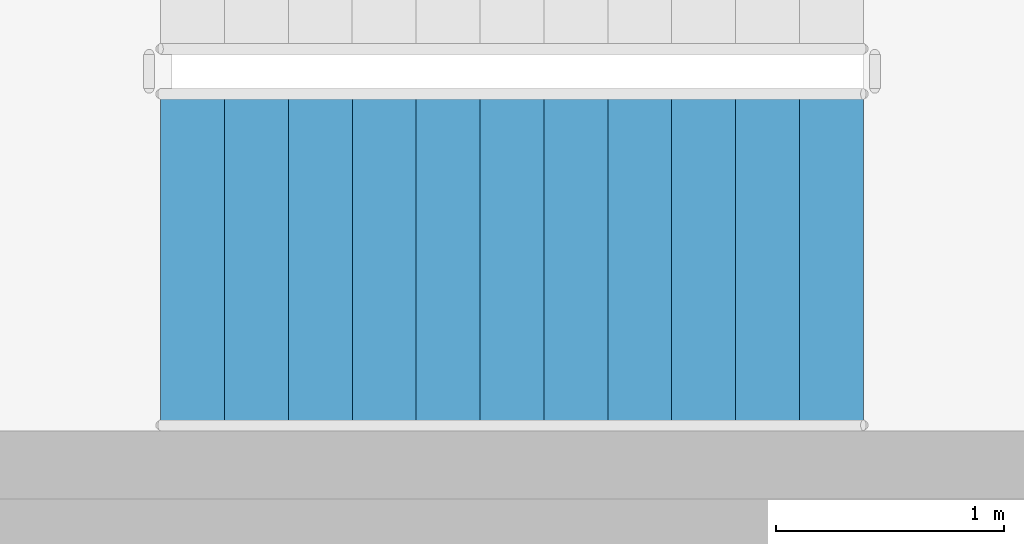
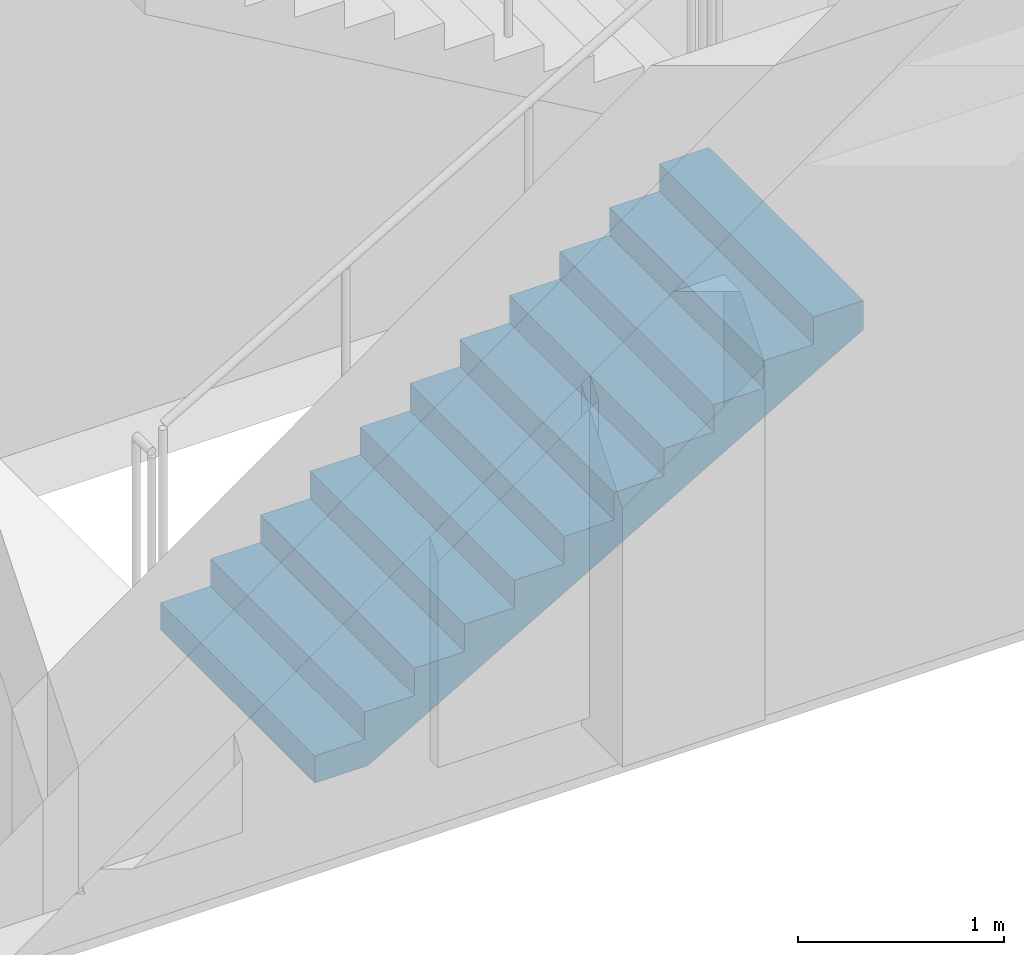
# One storey, part 48 of 56: 1 stair flight, 1 element without a shape of its own.
"""IFC4 building model written with IfcOpenShell, lengths in metres."""

from ifc_helpers import new_model, si_unit, direction, frame, origin, place, context, subcontext, project, spatial, triangles, material, type_object, element, aggregate, save


model = new_model("IFC4")

# Units and contexts
model_context = context("Model", 3, precision=1e-05, world=origin(), true_north=direction((0.0, 1.0)))
body_context = subcontext(model_context, "Body", "Model", "MODEL_VIEW")
ifc_project = project(units=[si_unit("LENGTHUNIT", "METRE"), si_unit("AREAUNIT", "SQUARE_METRE"), si_unit("VOLUMEUNIT", "CUBIC_METRE"), si_unit("PLANEANGLEUNIT", "RADIAN"), si_unit("MASSUNIT", "GRAM", prefix="KILO")], contexts=[model_context])

# Site, building, storey
site_placement = place(None, origin())
site = spatial("IfcSite", under=ifc_project, at=site_placement, CompositionType="ELEMENT")
building_placement = place(site_placement, origin())
building = spatial("IfcBuilding", under=site, at=building_placement, Name="Magnolia Steps Interchange", CompositionType="ELEMENT")
storey_placement = place(building_placement, frame((0.0, 0.0, 8.699951171875)))
storey = spatial("IfcBuildingStorey", under=building, at=storey_placement, Name="L02", CompositionType="ELEMENT", Elevation=8.699951171875)

# Stair, stair flight
ifc_material_1 = material(Name="Concrete C40", Category="concrete")
stair_type = type_object("IfcStairType", Name="Exit stair 1500", PredefinedType="HALF_TURN_STAIR", material=ifc_material_1)
stair_placement = place(storey_placement, origin())
stair = element("IfcStair", 1, at=stair_placement, inside=storey, type_object=stair_type, Name="L02 Stair 29", PredefinedType="HALF_TURN_STAIR")
ifc_material_2 = material(Name="Concrete C40", Category="concrete")
stair_flight_type = type_object("IfcStairFlightType", Name="Exit stair flight", PredefinedType="STRAIGHT", material=ifc_material_2)
stair_flight_placement = place(storey_placement, frame((112.85009765625, 97.60009765625, 0.0), z_axis=(0.0, 0.0, 1.0), x_axis=(1.0, 0.0, 0.0)))
stair_flight = element("IfcStairFlight", 2, at=stair_flight_placement, type_object=stair_flight_type, Name="Stair 29 flight 1", NumberOfRisers=12, NumberOfTreads=11, PredefinedType="STRAIGHT", RiserHeight=0.1625, TreadLength=0.28, context=body_context, shape_type="Tessellation", body=[
    triangles([(0.0, -0.75, 0.0), (0.298583984375, -0.75, 0.0), (3.080078125, -0.75, 1.6142578125), (3.080078125, -0.75, 1.78759765625), (2.800048828125, -0.75, 1.78759765625), (2.800048828125, -0.75, 1.625), (2.52001953125, -0.75, 1.625), (2.52001953125, -0.75, 1.46240234375), (2.239990234375, -0.75, 1.46240234375), (2.239990234375, -0.75, 1.300048828125), (1.9599609375, -0.75, 1.300048828125), (1.9599609375, -0.75, 1.137451171875), (1.679931640625, -0.75, 1.137451171875), (1.679931640625, -0.75, 0.97509765625), (1.39990234375, -0.75, 0.97509765625), (1.39990234375, -0.75, 0.8125), (1.1201171875, -0.75, 0.8125), (1.1201171875, -0.75, 0.64990234375), (0.840087890625, -0.75, 0.64990234375), (0.840087890625, -0.75, 0.487548828125), (0.56005859375, -0.75, 0.487548828125), (0.56005859375, -0.75, 0.324951171875), (0.280029296875, -0.75, 0.324951171875), (0.280029296875, -0.75, 0.16259765625), (0.0, -0.75, 0.16259765625), (0.0, 0.75, 0.0), (0.298583984375, 0.75, 0.0), (3.080078125, 0.75, 1.6142578125), (3.080078125, 0.75, 1.78759765625), (2.800048828125, 0.75, 1.78759765625), (2.800048828125, 0.75, 1.625), (2.52001953125, 0.75, 1.625), (2.52001953125, 0.75, 1.46240234375), (2.239990234375, 0.75, 1.46240234375), (2.239990234375, 0.75, 1.300048828125), (1.9599609375, 0.75, 1.300048828125), (1.9599609375, 0.75, 1.137451171875), (1.679931640625, 0.75, 1.137451171875), (1.679931640625, 0.75, 0.97509765625), (1.39990234375, 0.75, 0.97509765625), (1.39990234375, 0.75, 0.8125), (1.1201171875, 0.75, 0.8125), (1.1201171875, 0.75, 0.64990234375), (0.840087890625, 0.75, 0.64990234375), (0.840087890625, 0.75, 0.487548828125), (0.56005859375, 0.75, 0.487548828125), (0.56005859375, 0.75, 0.324951171875), (0.280029296875, 0.75, 0.324951171875), (0.280029296875, 0.75, 0.16259765625), (0.0, 0.75, 0.16259765625), (0.0, 0.0, 0.0), (0.0, 0.0, 0.0406494140625), (0.0, 0.0, 0.081298828125), (0.0, 0.0, 0.1219482421875), (0.0, 0.0, 0.16259765625), (0.0, -0.05, 0.0), (0.0, -0.05, 0.16259765625), (0.0, 0.05, 0.0), (0.0, 0.05, 0.16259765625), (0.046671549479166664, 0.0, 0.16259765625), (0.09334309895833333, 0.0, 0.16259765625), (0.1400146484375, 0.0, 0.16259765625), (0.18668619791666666, 0.0, 0.16259765625), (0.23335774739583334, 0.0, 0.16259765625), (0.280029296875, 0.0, 0.16259765625), (0.280029296875, -0.05, 0.16259765625), (0.280029296875, 0.05, 0.16259765625), (0.280029296875, 0.0, 0.20318603515625), (0.280029296875, 0.0, 0.2437744140625), (0.280029296875, 0.0, 0.28436279296875), (0.280029296875, 0.0, 0.324951171875), (0.280029296875, -0.05, 0.324951171875), (0.280029296875, 0.05, 0.324951171875), (0.3267008463541667, 0.0, 0.324951171875), (0.3733723958333333, 0.0, 0.324951171875), (0.4200439453125, 0.0, 0.324951171875), (0.46671549479166663, 0.0, 0.324951171875), (0.5133870442708334, 0.0, 0.324951171875), (0.56005859375, 0.0, 0.324951171875), (0.56005859375, -0.05, 0.324951171875), (0.56005859375, 0.05, 0.324951171875), (0.56005859375, 0.0, 0.3656005859375), (0.56005859375, 0.0, 0.40625), (0.56005859375, 0.0, 0.4468994140625), (0.56005859375, 0.0, 0.487548828125), (0.56005859375, -0.05, 0.487548828125), (0.56005859375, 0.05, 0.487548828125), (0.6067301432291666, 0.0, 0.487548828125), (0.6534016927083334, 0.0, 0.487548828125), (0.7000732421875, 0.0, 0.487548828125), (0.7467447916666666, 0.0, 0.487548828125), (0.7934163411458334, 0.0, 0.487548828125), (0.840087890625, 0.0, 0.487548828125), (0.840087890625, -0.05, 0.487548828125), (0.840087890625, 0.05, 0.487548828125), (0.840087890625, 0.0, 0.52813720703125), (0.840087890625, 0.0, 0.5687255859375), (0.840087890625, 0.0, 0.60931396484375), (0.840087890625, 0.0, 0.64990234375), (0.840087890625, -0.05, 0.64990234375), (0.840087890625, 0.05, 0.64990234375), (0.8867594401041666, 0.0, 0.64990234375), (0.9334309895833334, 0.0, 0.64990234375), (0.9801025390625, 0.0, 0.64990234375), (1.0267740885416667, 0.0, 0.64990234375), (1.0734456380208333, 0.0, 0.64990234375), (1.1201171875, 0.0, 0.64990234375), (1.1201171875, -0.05, 0.64990234375), (1.1201171875, 0.05, 0.64990234375), (1.1201171875, 0.0, 0.6905517578125), (1.1201171875, 0.0, 0.731201171875), (1.1201171875, 0.0, 0.7718505859375), (1.1201171875, 0.0, 0.8125), (1.1201171875, -0.05, 0.8125), (1.1201171875, 0.05, 0.8125), (1.1900634765625, 0.0, 0.8125), (1.260009765625, 0.0, 0.8125), (1.3299560546875, 0.0, 0.8125), (1.39990234375, 0.0, 0.8125), (1.39990234375, -0.05, 0.8125), (1.39990234375, 0.05, 0.8125), (1.39990234375, 0.0, 0.8531494140625), (1.39990234375, 0.0, 0.893798828125), (1.39990234375, 0.0, 0.9344482421875), (1.39990234375, 0.0, 0.97509765625), (1.39990234375, -0.05, 0.97509765625), (1.39990234375, 0.05, 0.97509765625), (1.4465738932291667, 0.0, 0.97509765625), (1.4932454427083333, 0.0, 0.97509765625), (1.5399169921875, 0.0, 0.97509765625), (1.5865885416666667, 0.0, 0.97509765625), (1.6332600911458333, 0.0, 0.97509765625), (1.679931640625, 0.0, 0.97509765625), (1.679931640625, -0.05, 0.97509765625), (1.679931640625, 0.05, 0.97509765625), (1.679931640625, 0.0, 1.01568603515625), (1.679931640625, 0.0, 1.0562744140625), (1.679931640625, 0.0, 1.09686279296875), (1.679931640625, 0.0, 1.137451171875), (1.679931640625, -0.05, 1.137451171875), (1.679931640625, 0.05, 1.137451171875), (1.7266031901041667, 0.0, 1.137451171875), (1.7732747395833333, 0.0, 1.137451171875), (1.8199462890625, 0.0, 1.137451171875), (1.8666178385416667, 0.0, 1.137451171875), (1.9132893880208333, 0.0, 1.137451171875), (1.9599609375, 0.0, 1.137451171875), (1.9599609375, -0.05, 1.137451171875), (1.9599609375, 0.05, 1.137451171875), (1.9599609375, 0.0, 1.1781005859375), (1.9599609375, 0.0, 1.21875), (1.9599609375, 0.0, 1.2593994140625), (1.9599609375, 0.0, 1.300048828125), (1.9599609375, -0.05, 1.300048828125), (1.9599609375, 0.05, 1.300048828125), (2.0066324869791665, 0.0, 1.300048828125), (2.0533040364583335, 0.0, 1.300048828125), (2.0999755859375, 0.0, 1.300048828125), (2.1466471354166665, 0.0, 1.300048828125), (2.1933186848958335, 0.0, 1.300048828125), (2.239990234375, 0.0, 1.300048828125), (2.239990234375, -0.05, 1.300048828125), (2.239990234375, 0.05, 1.300048828125), (2.239990234375, 0.0, 1.34063720703125), (2.239990234375, 0.0, 1.3812255859375), (2.239990234375, 0.0, 1.42181396484375), (2.239990234375, 0.0, 1.46240234375), (2.239990234375, -0.05, 1.46240234375), (2.239990234375, 0.05, 1.46240234375), (2.2866617838541665, 0.0, 1.46240234375), (2.3333333333333335, 0.0, 1.46240234375), (2.3800048828125, 0.0, 1.46240234375), (2.4266764322916665, 0.0, 1.46240234375), (2.4733479817708335, 0.0, 1.46240234375), (2.52001953125, 0.0, 1.46240234375), (2.52001953125, -0.05, 1.46240234375), (2.52001953125, 0.05, 1.46240234375), (2.52001953125, 0.0, 1.5030517578125), (2.52001953125, 0.0, 1.543701171875), (2.52001953125, 0.0, 1.5843505859375), (2.52001953125, 0.0, 1.625), (2.52001953125, -0.05, 1.625), (2.52001953125, 0.05, 1.625), (2.5666910807291665, 0.0, 1.625), (2.6133626302083335, 0.0, 1.625), (2.6600341796875, 0.0, 1.625), (2.7067057291666665, 0.0, 1.625), (2.7533772786458335, 0.0, 1.625), (2.800048828125, 0.0, 1.625), (2.800048828125, -0.05, 1.625), (2.800048828125, 0.05, 1.625), (2.800048828125, 0.0, 1.6656494140625), (2.800048828125, 0.0, 1.706298828125), (2.800048828125, 0.0, 1.7469482421875), (2.800048828125, 0.0, 1.78759765625), (2.800048828125, -0.05, 1.78759765625), (2.800048828125, 0.05, 1.78759765625), (2.8467203776041665, 0.0, 1.78759765625), (2.8933919270833335, 0.0, 1.78759765625), (2.9400634765625, 0.0, 1.78759765625), (2.9867350260416665, 0.0, 1.78759765625), (3.0334065755208335, 0.0, 1.78759765625), (3.080078125, 0.0, 1.78759765625), (3.080078125, -0.05, 1.78759765625), (3.080078125, 0.05, 1.78759765625), (3.080078125, 0.0, 1.7442626953125), (3.080078125, 0.0, 1.700927734375), (3.080078125, 0.0, 1.6575927734375), (3.080078125, 0.0, 1.6142578125), (3.080078125, -0.05, 1.6142578125), (3.080078125, 0.05, 1.6142578125), (3.0196108610733696, 0.0, 1.5791652513586956), (2.9591435971467392, 0.0, 1.5440726902173914), (2.898676333220109, 0.0, 1.508980129076087), (2.8382090692934785, 0.0, 1.4738875679347827), (2.7777418053668477, 0.0, 1.4387950067934783), (2.7172745414402173, 0.0, 1.4037024456521738), (2.656807277513587, 0.0, 1.3686098845108696), (2.5963400135869565, 0.0, 1.3335173233695652), (2.535872749660326, 0.0, 1.2984247622282608), (2.475405485733696, 0.0, 1.2633322010869565), (2.4149382218070654, 0.0, 1.228239639945652), (2.3544709578804346, 0.0, 1.193147078804348), (2.294003693953804, 0.0, 1.1580545176630435), (2.233536430027174, 0.0, 1.1229619565217392), (2.1730691661005435, 0.0, 1.0878693953804348), (2.112601902173913, 0.0, 1.0527768342391304), (2.0521346382472827, 0.0, 1.0176842730978262), (1.991667374320652, 0.0, 0.9825917119565217), (1.9312001103940217, 0.0, 0.9474991508152174), (1.8707328464673914, 0.0, 0.9124065896739131), (1.810265582540761, 0.0, 0.8773140285326086), (1.7497983186141304, 0.0, 0.8422214673913043), (1.6893310546875, 0.0, 0.80712890625), (1.6288637907608696, 0.0, 0.7720363451086957), (1.568396526834239, 0.0, 0.7369437839673914), (1.5079292629076086, 0.0, 0.7018512228260869), (1.4474619989809783, 0.0, 0.6667586616847826), (1.386994735054348, 0.0, 0.6316661005434783), (1.3265274711277173, 0.0, 0.5965735394021738), (1.266060207201087, 0.0, 0.5614809782608696), (1.2055929432744565, 0.0, 0.5263884171195652), (1.1451256793478262, 0.0, 0.491295855978261), (1.0846584154211956, 0.0, 0.45620329483695654), (1.0241911514945654, 0.0, 0.4211107336956521), (0.9637238875679346, 0.0, 0.3860181725543479), (0.9032566236413042, 0.0, 0.35092561141304346), (0.8427893597146738, 0.0, 0.315833050271739), (0.7823220957880435, 0.0, 0.2807404891304348), (0.7218548318614131, 0.0, 0.24564792798913038), (0.6613875679347827, 0.0, 0.21055536684782616), (0.6009203040081523, 0.0, 0.17546280570652173), (0.540453040081522, 0.0, 0.1403702445652173), (0.47998577615489113, 0.0, 0.10527768342391308), (0.41951851222826075, 0.0, 0.07018512228260865), (0.3590512483016304, 0.0, 0.035092561141304435), (0.298583984375, 0.0, 0.0), (0.298583984375, -0.05, 0.0), (0.298583984375, 0.05, 0.0), (0.24881998697916666, 0.0, 0.0), (0.19905598958333331, 0.0, 0.0), (0.1492919921875, 0.0, 0.0), (0.09952799479166666, 0.0, 0.0), (0.04976399739583334, 0.0, 0.0)], [[1, 2, 3], [3, 4, 5], [3, 5, 6], [3, 6, 7], [3, 7, 8], [8, 9, 10], [3, 8, 10], [10, 11, 12], [3, 10, 12], [12, 13, 14], [3, 12, 14], [14, 15, 16], [3, 14, 16], [16, 17, 18], [3, 16, 18], [18, 19, 20], [3, 18, 20], [20, 21, 22], [3, 20, 22], [1, 3, 22], [22, 23, 24], [1, 22, 24], [24, 25, 1], [26, 28, 27], [28, 30, 29], [28, 31, 30], [28, 32, 31], [28, 33, 32], [33, 35, 34], [28, 35, 33], [35, 37, 36], [28, 37, 35], [37, 39, 38], [28, 39, 37], [39, 41, 40], [28, 41, 39], [41, 43, 42], [28, 43, 41], [43, 45, 44], [28, 45, 43], [45, 47, 46], [28, 47, 45], [26, 47, 28], [47, 49, 48], [26, 49, 47], [49, 26, 50], [1, 25, 57], [1, 57, 56], [56, 52, 51], [56, 53, 52], [56, 57, 53], [57, 54, 53], [57, 55, 54], [26, 59, 50], [26, 58, 59], [58, 51, 52], [58, 52, 53], [58, 53, 59], [59, 53, 54], [59, 54, 55], [25, 24, 66], [25, 66, 57], [57, 60, 55], [57, 61, 60], [57, 62, 61], [57, 66, 62], [66, 63, 62], [66, 64, 63], [66, 65, 64], [50, 67, 49], [50, 59, 67], [59, 55, 60], [59, 60, 61], [59, 61, 62], [59, 62, 67], [67, 62, 63], [67, 63, 64], [67, 64, 65], [24, 23, 72], [24, 72, 66], [66, 68, 65], [66, 69, 68], [66, 72, 69], [72, 70, 69], [72, 71, 70], [49, 73, 48], [49, 67, 73], [67, 65, 68], [67, 68, 69], [67, 69, 73], [73, 69, 70], [73, 70, 71], [23, 22, 80], [23, 80, 72], [72, 74, 71], [72, 75, 74], [72, 76, 75], [72, 80, 76], [80, 77, 76], [80, 78, 77], [80, 79, 78], [48, 81, 47], [48, 73, 81], [73, 71, 74], [73, 74, 75], [73, 75, 76], [73, 76, 81], [81, 76, 77], [81, 77, 78], [81, 78, 79], [22, 21, 86], [22, 86, 80], [80, 82, 79], [80, 83, 82], [80, 86, 83], [86, 84, 83], [86, 85, 84], [47, 87, 46], [47, 81, 87], [81, 79, 82], [81, 82, 83], [81, 83, 87], [87, 83, 84], [87, 84, 85], [21, 20, 94], [21, 94, 86], [86, 88, 85], [86, 89, 88], [86, 90, 89], [86, 94, 90], [94, 91, 90], [94, 92, 91], [94, 93, 92], [46, 95, 45], [46, 87, 95], [87, 85, 88], [87, 88, 89], [87, 89, 90], [87, 90, 95], [95, 90, 91], [95, 91, 92], [95, 92, 93], [20, 19, 100], [20, 100, 94], [94, 96, 93], [94, 97, 96], [94, 100, 97], [100, 98, 97], [100, 99, 98], [45, 101, 44], [45, 95, 101], [95, 93, 96], [95, 96, 97], [95, 97, 101], [101, 97, 98], [101, 98, 99], [19, 18, 108], [19, 108, 100], [100, 102, 99], [100, 103, 102], [100, 104, 103], [100, 108, 104], [108, 105, 104], [108, 106, 105], [108, 107, 106], [44, 109, 43], [44, 101, 109], [101, 99, 102], [101, 102, 103], [101, 103, 104], [101, 104, 109], [109, 104, 105], [109, 105, 106], [109, 106, 107], [18, 17, 114], [18, 114, 108], [108, 110, 107], [108, 111, 110], [108, 114, 111], [114, 112, 111], [114, 113, 112], [43, 115, 42], [43, 109, 115], [109, 107, 110], [109, 110, 111], [109, 111, 115], [115, 111, 112], [115, 112, 113], [17, 16, 120], [17, 120, 114], [114, 116, 113], [114, 117, 116], [114, 120, 117], [120, 118, 117], [120, 119, 118], [42, 121, 41], [42, 115, 121], [115, 113, 116], [115, 116, 117], [115, 117, 121], [121, 117, 118], [121, 118, 119], [16, 15, 126], [16, 126, 120], [120, 122, 119], [120, 123, 122], [120, 126, 123], [126, 124, 123], [126, 125, 124], [41, 127, 40], [41, 121, 127], [121, 119, 122], [121, 122, 123], [121, 123, 127], [127, 123, 124], [127, 124, 125], [15, 14, 134], [15, 134, 126], [126, 128, 125], [126, 129, 128], [126, 130, 129], [126, 134, 130], [134, 131, 130], [134, 132, 131], [134, 133, 132], [40, 135, 39], [40, 127, 135], [127, 125, 128], [127, 128, 129], [127, 129, 130], [127, 130, 135], [135, 130, 131], [135, 131, 132], [135, 132, 133], [14, 13, 140], [14, 140, 134], [134, 136, 133], [134, 137, 136], [134, 140, 137], [140, 138, 137], [140, 139, 138], [39, 141, 38], [39, 135, 141], [135, 133, 136], [135, 136, 137], [135, 137, 141], [141, 137, 138], [141, 138, 139], [13, 12, 148], [13, 148, 140], [140, 142, 139], [140, 143, 142], [140, 144, 143], [140, 148, 144], [148, 145, 144], [148, 146, 145], [148, 147, 146], [38, 149, 37], [38, 141, 149], [141, 139, 142], [141, 142, 143], [141, 143, 144], [141, 144, 149], [149, 144, 145], [149, 145, 146], [149, 146, 147], [12, 11, 154], [12, 154, 148], [148, 150, 147], [148, 151, 150], [148, 154, 151], [154, 152, 151], [154, 153, 152], [37, 155, 36], [37, 149, 155], [149, 147, 150], [149, 150, 151], [149, 151, 155], [155, 151, 152], [155, 152, 153], [11, 10, 162], [11, 162, 154], [154, 156, 153], [154, 157, 156], [154, 158, 157], [154, 162, 158], [162, 159, 158], [162, 160, 159], [162, 161, 160], [36, 163, 35], [36, 155, 163], [155, 153, 156], [155, 156, 157], [155, 157, 158], [155, 158, 163], [163, 158, 159], [163, 159, 160], [163, 160, 161], [10, 9, 168], [10, 168, 162], [162, 164, 161], [162, 165, 164], [162, 168, 165], [168, 166, 165], [168, 167, 166], [35, 169, 34], [35, 163, 169], [163, 161, 164], [163, 164, 165], [163, 165, 169], [169, 165, 166], [169, 166, 167], [9, 8, 176], [9, 176, 168], [168, 170, 167], [168, 171, 170], [168, 172, 171], [168, 176, 172], [176, 173, 172], [176, 174, 173], [176, 175, 174], [34, 177, 33], [34, 169, 177], [169, 167, 170], [169, 170, 171], [169, 171, 172], [169, 172, 177], [177, 172, 173], [177, 173, 174], [177, 174, 175], [8, 7, 182], [8, 182, 176], [176, 178, 175], [176, 179, 178], [176, 182, 179], [182, 180, 179], [182, 181, 180], [33, 183, 32], [33, 177, 183], [177, 175, 178], [177, 178, 179], [177, 179, 183], [183, 179, 180], [183, 180, 181], [7, 6, 190], [7, 190, 182], [182, 184, 181], [182, 185, 184], [182, 186, 185], [182, 190, 186], [190, 187, 186], [190, 188, 187], [190, 189, 188], [32, 191, 31], [32, 183, 191], [183, 181, 184], [183, 184, 185], [183, 185, 186], [183, 186, 191], [191, 186, 187], [191, 187, 188], [191, 188, 189], [6, 5, 196], [6, 196, 190], [190, 192, 189], [190, 193, 192], [190, 196, 193], [196, 194, 193], [196, 195, 194], [31, 197, 30], [31, 191, 197], [191, 189, 192], [191, 192, 193], [191, 193, 197], [197, 193, 194], [197, 194, 195], [5, 4, 204], [5, 204, 196], [196, 198, 195], [196, 199, 198], [196, 200, 199], [196, 204, 200], [204, 201, 200], [204, 202, 201], [204, 203, 202], [30, 205, 29], [30, 197, 205], [197, 195, 198], [197, 198, 199], [197, 199, 200], [197, 200, 205], [205, 200, 201], [205, 201, 202], [205, 202, 203], [4, 3, 210], [4, 210, 204], [204, 206, 203], [204, 207, 206], [204, 210, 207], [210, 208, 207], [210, 209, 208], [29, 211, 28], [29, 205, 211], [205, 203, 206], [205, 206, 207], [205, 207, 211], [211, 207, 208], [211, 208, 209], [3, 2, 258], [3, 258, 210], [210, 212, 209], [210, 213, 212], [210, 214, 213], [210, 215, 214], [210, 216, 215], [210, 217, 216], [210, 218, 217], [210, 219, 218], [210, 220, 219], [210, 221, 220], [210, 222, 221], [210, 223, 222], [210, 224, 223], [210, 225, 224], [210, 226, 225], [210, 227, 226], [210, 228, 227], [210, 229, 228], [210, 230, 229], [210, 231, 230], [210, 232, 231], [210, 233, 232], [210, 234, 233], [210, 258, 234], [258, 235, 234], [258, 236, 235], [258, 237, 236], [258, 238, 237], [258, 239, 238], [258, 240, 239], [258, 241, 240], [258, 242, 241], [258, 243, 242], [258, 244, 243], [258, 245, 244], [258, 246, 245], [258, 247, 246], [258, 248, 247], [258, 249, 248], [258, 250, 249], [258, 251, 250], [258, 252, 251], [258, 253, 252], [258, 254, 253], [258, 255, 254], [258, 256, 255], [258, 257, 256], [28, 259, 27], [28, 211, 259], [211, 209, 212], [211, 212, 213], [211, 213, 214], [211, 214, 215], [211, 215, 216], [211, 216, 217], [211, 217, 218], [211, 218, 219], [211, 219, 220], [211, 220, 221], [211, 221, 222], [211, 222, 223], [211, 223, 224], [211, 224, 225], [211, 225, 226], [211, 226, 227], [211, 227, 228], [211, 228, 229], [211, 229, 230], [211, 230, 231], [211, 231, 232], [211, 232, 233], [211, 233, 234], [211, 234, 259], [259, 234, 235], [259, 235, 236], [259, 236, 237], [259, 237, 238], [259, 238, 239], [259, 239, 240], [259, 240, 241], [259, 241, 242], [259, 242, 243], [259, 243, 244], [259, 244, 245], [259, 245, 246], [259, 246, 247], [259, 247, 248], [259, 248, 249], [259, 249, 250], [259, 250, 251], [259, 251, 252], [259, 252, 253], [259, 253, 254], [259, 254, 255], [259, 255, 256], [259, 256, 257], [2, 1, 56], [2, 56, 258], [258, 260, 257], [258, 261, 260], [258, 262, 261], [258, 56, 262], [56, 263, 262], [56, 264, 263], [56, 51, 264], [27, 58, 26], [27, 259, 58], [259, 257, 260], [259, 260, 261], [259, 261, 262], [259, 262, 58], [58, 262, 263], [58, 263, 264], [58, 264, 51]], closed=True),
])
aggregate(stair, [stair_flight])

save(model, "model.ifc")
